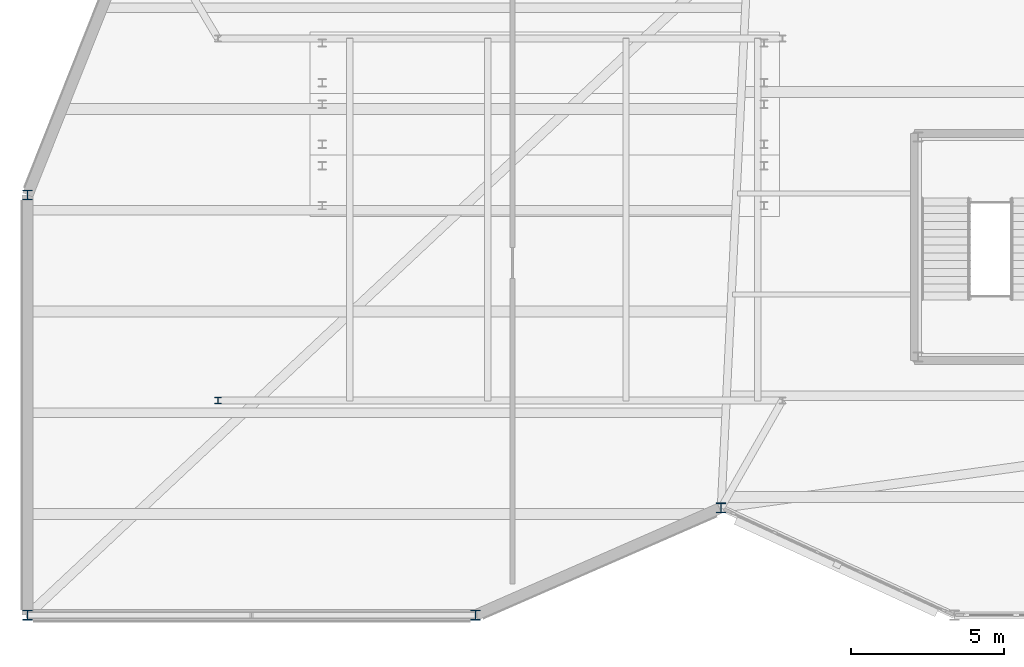
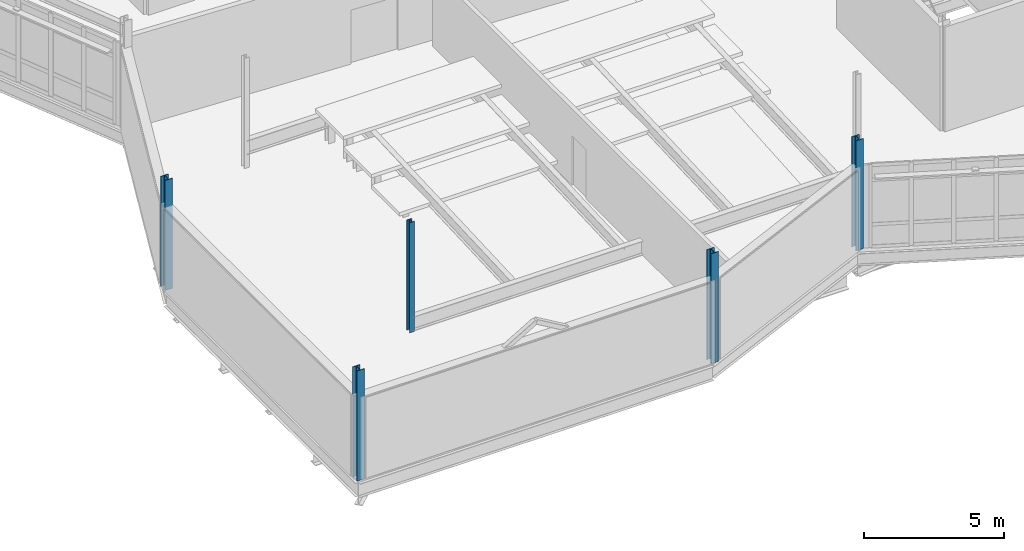
# One storey, part 1 of 134: 5 columns.
"""IFC4 building model written with IfcOpenShell, lengths in metres."""

from ifc_helpers import new_model, si_unit, direction, frame, origin, origin_2d, place, context, subcontext, project, spatial, i_section, extrude, material, material_profile, profile_set, type_object, element, save


model = new_model("IFC4")

# Units and contexts
model_context = context("Model", 3, precision=1e-05, world=origin(), true_north=direction((0.0, 1.0)))
body_context = subcontext(model_context, "Body", "Model", "MODEL_VIEW")
ifc_project = project(units=[si_unit("LENGTHUNIT", "METRE"), si_unit("AREAUNIT", "SQUARE_METRE"), si_unit("VOLUMEUNIT", "CUBIC_METRE"), si_unit("PLANEANGLEUNIT", "RADIAN"), si_unit("MASSUNIT", "GRAM", prefix="KILO")], contexts=[model_context])

# Site, building, storey
site_placement = place(None, origin())
site = spatial("IfcSite", under=ifc_project, at=site_placement, CompositionType="ELEMENT")
building_placement = place(site_placement, origin())
building = spatial("IfcBuilding", under=site, at=building_placement, Name="Tameran Prism Museum", CompositionType="ELEMENT")
storey_placement = place(building_placement, frame((0.0, 0.0, 5.39990234375)))
storey = spatial("IfcBuildingStorey", under=building, at=storey_placement, Name="L01", CompositionType="ELEMENT", Elevation=5.39990234375)

# Columns
ifc_material_1 = material(Name="Steel Grade 300PLUS (300 MPa)", Category="steel")
ifc_material_profile_1 = material_profile(ifc_material_1, i_section(OverallWidth=0.205078125, OverallDepth=0.2099609375, WebThickness=0.00927734375, FlangeThickness=0.01416015625, FilletRadius=0.01025390625, at=origin_2d()))
ifc_profile_set_1 = profile_set([ifc_material_profile_1])
column_type_1 = type_object("IfcColumnType", Name="COL-UC200", PredefinedType="COLUMN", material=ifc_profile_set_1)
column_placement = place(storey_placement, frame((6.199951171875, 7.0, 0.0), z_axis=(0.0, 0.0, 1.0), x_axis=(1.0, 0.0, 0.0)))
element("IfcColumn", 1, at=column_placement, inside=storey, type_object=column_type_1, Name="Column CA-01 L01", PredefinedType="COLUMN", context=body_context, shape_type="SweptSolid", body=[
    extrude(i_section(OverallWidth=0.205078125, OverallDepth=0.2099609375, WebThickness=0.00927734375, FlangeThickness=0.01416015625, FilletRadius=0.01025390625, at=origin_2d()), origin(), (0.0, 0.0, 1.0), 4.800048828125),
])
ifc_material_2 = material(Name="Steel Grade 300PLUS (300 MPa)", Category="steel")
ifc_material_profile_2 = material_profile(ifc_material_2, i_section(OverallWidth=0.306884765625, OverallDepth=0.31494140625, WebThickness=0.011962890625, FlangeThickness=0.018798828125, FilletRadius=0.0166015625, at=origin_2d()))
ifc_profile_set_2 = profile_set([ifc_material_profile_2])
column_type_2 = type_object("IfcColumnType", Name="COL-UC310C", PredefinedType="COLUMN", material=ifc_profile_set_2)
for number, where, z_axis, x_axis, name in (
    (2, (0.0, 0.0, 0.0), (0.0, 0.0, 1.0), (1.0, 0.0, 0.0), "Column CV-01 L01"),
    (3, (0.0, 13.699951171875, 0.0), (0.0, 0.0, 1.0), (1.0, 0.0, 0.0), "Column CV-02 L01"),
    (4, (14.60009765625, 0.0, 0.0), (0.0, 0.0, 1.0), (1.0, 0.0, 0.0), "Column CV-11 L01"),
    (5, (22.60009765625, 3.5, 0.0), (0.0, 0.0, 1.0), (1.0, 0.0, 0.0), "Column CV-13 L01"),
):
    element("IfcColumn", number, at=place(storey_placement, frame(where, z_axis=z_axis, x_axis=x_axis)), inside=storey, type_object=column_type_2, Name=name, PredefinedType="COLUMN", context=body_context, shape_type="SweptSolid", body=[
        extrude(i_section(OverallWidth=0.306884765625, OverallDepth=0.31494140625, WebThickness=0.011962890625, FlangeThickness=0.018798828125, FilletRadius=0.0166015625, at=origin_2d()), origin(), (0.0, 0.0, 1.0), 4.800048828125),
    ])

save(model, "model.ifc")
